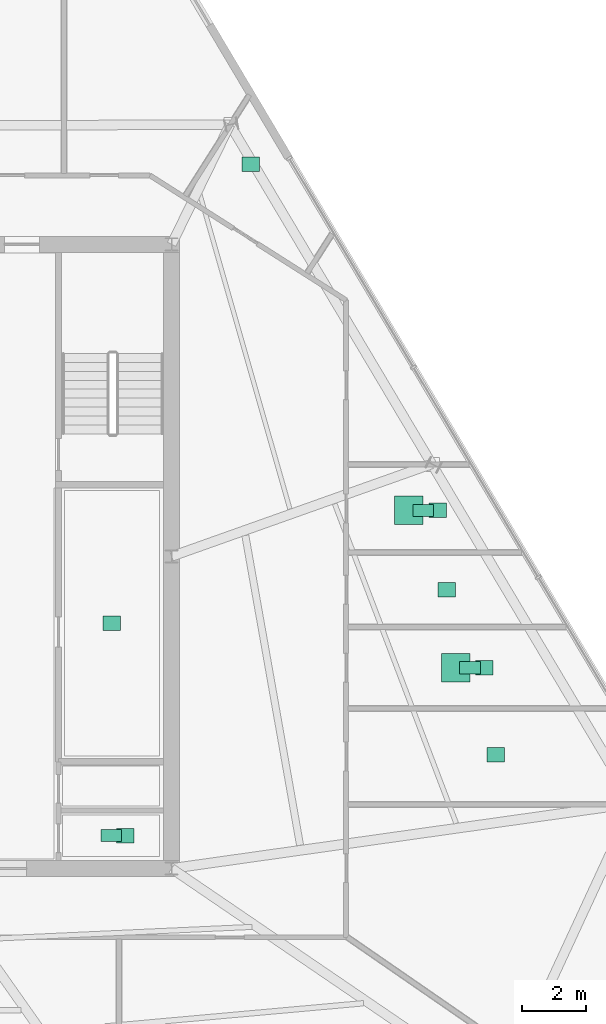
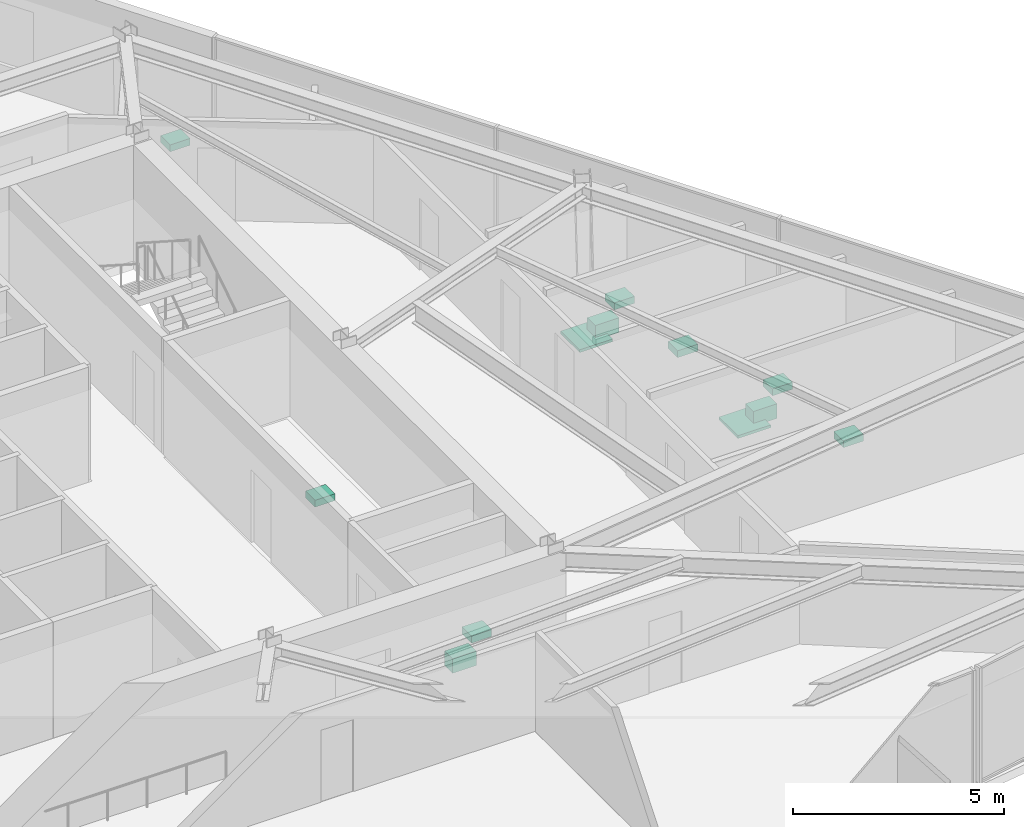
# One storey, part 15 of 15: 12 sanitary terminals.
"""IFC4 building model written with IfcOpenShell, lengths in metres."""

import ifcopenshell
import ifcopenshell.guid

model = None  # the IFC model being written
_history = None  # IfcOwnerHistory: only IFC2X3 demands one
_inside = {}  # id of a spatial element -> (the spatial element, [elements in it])
_under = {}  # id of a project, library or spatial element -> (it, [spatial elements below it])
_declared = {}  # id of a project -> (the project, [libraries it declares])
_typed = {}  # id of a type object -> (the type object, [elements of that type])
_made_of = {}  # id of a material, layer set ... -> (it, [elements and type objects made of it])


def new_model(schema):
    """Start an empty IFC model of exactly this schema.

    Asked for "IFC4X3", IfcOpenShell would pick the latest addendum, in which some entities
    have other attributes; the version numbers below select the first issue.
    IFC2X3 requires an IfcOwnerHistory on every rooted entity: one is made here for all.
    """
    global model, _history
    if schema == "IFC4X3":
        model = ifcopenshell.file(schema_version=(4, 3, 0, 0))
    else:
        model = ifcopenshell.file(schema=schema)
    _inside.clear()
    _under.clear()
    _declared.clear()
    _typed.clear()
    _made_of.clear()
    _history = None
    if model.schema == "IFC2X3":
        org = make("IfcOrganization", Name="unknown")
        user = make(
            "IfcPersonAndOrganization",
            ThePerson=make("IfcPerson", FamilyName="unknown"),
            TheOrganization=org,
        )
        app = make(
            "IfcApplication",
            ApplicationDeveloper=org,
            Version="unknown",
            ApplicationFullName="unknown",
            ApplicationIdentifier="unknown",
        )
        _history = make(
            "IfcOwnerHistory",
            OwningUser=user,
            OwningApplication=app,
            ChangeAction="ADDED",
            CreationDate=0,
        )
    return model


def make(cls, **values):
    """One entity of the class cls with the attributes given. An attribute that is None is left unset."""
    return model.create_entity(
        cls, **{name: value for name, value in values.items() if value is not None}
    )


def rooted(cls, **values):
    """An entity with a GlobalId (a new one), such as an element, a storey or a relation."""
    return make(cls, GlobalId=ifcopenshell.guid.new(), OwnerHistory=_history, **values)


def si_unit(unit_type, name, prefix=None):
    """IfcSIUnit, for example si_unit("LENGTHUNIT", "METRE", prefix="MILLI")."""
    return make("IfcSIUnit", UnitType=unit_type, Prefix=prefix, Name=name)


def assignment(units):
    """IfcUnitAssignment: the units of a project."""
    return None if units is None else make("IfcUnitAssignment", Units=units)


def point(xyz):
    """IfcCartesianPoint."""
    return None if xyz is None else make("IfcCartesianPoint", Coordinates=xyz)


def direction(xyz):
    """IfcDirection."""
    return None if xyz is None else make("IfcDirection", DirectionRatios=xyz)


def frame(location, z_axis=None, x_axis=None):
    """IfcAxis2Placement3D, a coordinate frame: its origin and axes. An axis left out is left unset."""
    return make(
        "IfcAxis2Placement3D",
        Location=point(location),
        Axis=direction(z_axis),
        RefDirection=direction(x_axis),
    )


def frame_2d(location, x_axis=None):
    """IfcAxis2Placement2D, a coordinate frame in the plane: its origin and x axis."""
    return make(
        "IfcAxis2Placement2D", Location=point(location), RefDirection=direction(x_axis)
    )


def origin():
    """The frame at (0, 0, 0) with its axes left unset."""
    return frame((0.0, 0.0, 0.0))


def origin_2d():
    """The frame at (0, 0) in the plane with its x axis left unset."""
    return frame_2d((0.0, 0.0))


def place(relative_to, where):
    """IfcLocalPlacement: puts the frame where relative to a parent placement (None: the world)."""
    return make(
        "IfcLocalPlacement", PlacementRelTo=relative_to, RelativePlacement=where
    )


def context(
    kind, dimensions, precision=None, world=None, true_north=None, identifier=None
):
    """IfcGeometricRepresentationContext, for example the 3D "Model" context."""
    return make(
        "IfcGeometricRepresentationContext",
        ContextIdentifier=identifier,
        ContextType=kind,
        CoordinateSpaceDimension=dimensions,
        Precision=precision,
        WorldCoordinateSystem=world,
        TrueNorth=true_north,
    )


def subcontext(parent, identifier, kind, view, scale=None):
    """IfcGeometricRepresentationSubContext, for example "Body" below "Model"."""
    return make(
        "IfcGeometricRepresentationSubContext",
        ContextIdentifier=identifier,
        ContextType=kind,
        ParentContext=parent,
        TargetScale=scale,
        TargetView=view,
    )


def project(units=None, contexts=None):
    """IfcProject with its units and contexts."""
    return rooted(
        "IfcProject",
        Name="project",
        RepresentationContexts=contexts,
        UnitsInContext=assignment(units),
    )


def spatial(cls, under=None, at=None, **own):
    """A site, building, storey or space (cls), placed at a placement, below another one or the project."""
    s = rooted(cls, ObjectPlacement=at, **own)
    if under is not None:
        _under.setdefault(under.id(), (under, []))[1].append(s)
    return s


def profile(cls, at=None, kind="AREA", **sizes):
    """A parametric profile (cls). Its sizes go by their IFC names, for example OverallWidth=200.0."""
    return make(cls, ProfileType=kind, Position=at, **sizes)


def rectangle(**sizes):
    """IfcRectangleProfileDef."""
    return profile("IfcRectangleProfileDef", **sizes)


def extrude(swept, where, along, depth):
    """IfcExtrudedAreaSolid: the profile swept, set in the frame where, extruded along a direction by depth."""
    return make(
        "IfcExtrudedAreaSolid",
        SweptArea=swept,
        Position=where,
        ExtrudedDirection=direction(along),
        Depth=depth,
    )


def shape(context_of_items, identifier, shape_type, items):
    """IfcShapeRepresentation: the items that make up one representation, for example the "Body"."""
    return make(
        "IfcShapeRepresentation",
        ContextOfItems=context_of_items,
        RepresentationIdentifier=identifier,
        RepresentationType=shape_type,
        Items=items,
    )


def material(Name=None, Category=None):
    """IfcMaterial."""
    return make("IfcMaterial", Name=Name, Category=Category)


def made_of(thing, what):
    """Note that an element or type object is made of a material, layer set ...; save() writes the relation."""
    if what is not None:
        _made_of.setdefault(what.id(), (what, []))[1].append(thing)
    return thing


def type_object(cls, material=None, **own):
    """A type object (cls), such as IfcWallType, which elements share."""
    return made_of(rooted(cls, **own), material)


def element(
    cls,
    number,
    at=None,
    inside=None,
    cuts=None,
    type_object=None,
    material=None,
    context=None,
    identifier="Body",
    shape_type=None,
    held_by="IfcProductDefinitionShape",
    body=None,
    shapes=None,
    **own,
):
    """One element of the class cls, such as IfcWall. Its Tag is "e" and its number.

    at: its placement. inside: the storey or other place that contains it. cuts: it is an
    opening in that element (IfcRelVoidsElement). A single representation is given by context,
    identifier, shape_type and body (its items); several are given by shapes. held_by: the class
    of the entity that holds the representations. save() writes the other relations.
    """
    e = rooted(cls, Tag="e%d" % number, ObjectPlacement=at, **own)
    if body is not None:
        shapes = [shape(context, identifier, shape_type, body)]
    if shapes is not None:
        e.Representation = make(held_by, Representations=shapes)
    if inside is not None:
        _inside.setdefault(inside.id(), (inside, []))[1].append(e)
    if cuts is not None:
        rooted(
            "IfcRelVoidsElement", RelatingBuildingElement=cuts, RelatedOpeningElement=e
        )
    if type_object is not None:
        _typed.setdefault(type_object.id(), (type_object, []))[1].append(e)
    return made_of(e, material)


def aggregate(whole, parts):
    """IfcRelAggregates: a whole, such as a stair, and the parts it consists of."""
    return rooted("IfcRelAggregates", RelatingObject=whole, RelatedObjects=parts)


def save(model, path):
    """Write the relations noted so far, then the file.

    IfcRelAggregates (storeys below a building ...), IfcRelContainedInSpatialStructure (elements
    in a storey), IfcRelDefinesByType, IfcRelAssociatesMaterial and IfcRelDeclares: one each for
    every whole, place, type object, material and project.
    """
    for whole, parts in _under.values():
        aggregate(whole, parts)
    for where, things in _inside.values():
        rooted(
            "IfcRelContainedInSpatialStructure",
            RelatedElements=things,
            RelatingStructure=where,
        )
    for kind, things in _typed.values():
        rooted("IfcRelDefinesByType", RelatedObjects=things, RelatingType=kind)
    for what, things in _made_of.values():
        rooted("IfcRelAssociatesMaterial", RelatedObjects=things, RelatingMaterial=what)
    for by, libraries in _declared.values():
        rooted("IfcRelDeclares", RelatingContext=by, RelatedDefinitions=libraries)
    model.write(path)


model = new_model("IFC4")

# Units and contexts
model_context = context("Model", 3, precision=1e-05, world=origin(), true_north=direction((0.0, 1.0)))
body_context = subcontext(model_context, "Body", "Model", "MODEL_VIEW")
ifc_project = project(units=[si_unit("LENGTHUNIT", "METRE"), si_unit("AREAUNIT", "SQUARE_METRE"), si_unit("VOLUMEUNIT", "CUBIC_METRE"), si_unit("PLANEANGLEUNIT", "RADIAN"), si_unit("MASSUNIT", "GRAM", prefix="KILO")], contexts=[model_context])

# Site, building, storey
site_placement = place(None, origin())
site = spatial("IfcSite", under=ifc_project, at=site_placement, CompositionType="ELEMENT")
building_placement = place(site_placement, origin())
building = spatial("IfcBuilding", under=site, at=building_placement, Name="Savorim Split Tower", CompositionType="ELEMENT")
storey_placement = place(building_placement, frame((0.0, 0.0, 142.199951171875)))
storey = spatial("IfcBuildingStorey", under=building, at=storey_placement, Name="L37", CompositionType="ELEMENT", Elevation=142.199951171875)

# Sanitary terminals
ifc_material = material(Name="Vitreous China Sanitaryware")
sanitary_terminal_type_1 = type_object("IfcSanitaryTerminalType", Name="SAN-SHW-900", PredefinedType="SHOWER", material=ifc_material)
for number, where, z_axis, x_axis, name in (
    (1, (16.618896484375, -3.096435546875, 0.0), (0.0, 0.0, 1.0), (1.0, 0.0, 0.0), "L37 Shared Bathroom Shower"),
    (2, (15.149658203125, 1.845703125, 0.0), (0.0, 0.0, 1.0), (1.0, 0.0, 0.0), "L37 Shared Bathroom Shower"),
):
    element("IfcSanitaryTerminal", number, at=place(storey_placement, frame(where, z_axis=z_axis, x_axis=x_axis)), inside=storey, type_object=sanitary_terminal_type_1, Name=name, PredefinedType="SHOWER", context=body_context, shape_type="SweptSolid", body=[
        extrude(rectangle(XDim=0.89990234375, YDim=0.89990234375, at=origin_2d()), origin(), (0.0, 0.0, 1.0), 0.080078125),
    ])
sanitary_terminal_type_2 = type_object("IfcSanitaryTerminalType", Name="SAN-WC-PAN", PredefinedType="TOILETPAN", material=ifc_material)
for number, where, z_axis, x_axis, name in (
    (3, (5.800048828125, -8.3701171875, 0.0), (0.0, 0.0, 1.0), (1.0, 0.0, 0.0), "L37 Accessible WC WC Pan"),
    (4, (17.06884765625, -3.096435546875, 0.0), (0.0, 0.0, 1.0), (1.0, 0.0, 0.0), "L37 Shared Bathroom WC Pan"),
    (5, (15.599609375, 1.845703125, 0.0), (0.0, 0.0, 1.0), (1.0, 0.0, 0.0), "L37 Shared Bathroom WC Pan"),
):
    element("IfcSanitaryTerminal", number, at=place(storey_placement, frame(where, z_axis=z_axis, x_axis=x_axis)), inside=storey, type_object=sanitary_terminal_type_2, Name=name, PredefinedType="TOILETPAN", context=body_context, shape_type="SweptSolid", body=[
        extrude(rectangle(XDim=0.64990234375, YDim=0.3798828125, at=origin_2d()), origin(), (0.0, 0.0, 1.0), 0.419921875),
    ])
sanitary_terminal_type_3 = type_object("IfcSanitaryTerminalType", Name="SAN-WHB-550", PredefinedType="WASHHANDBASIN", material=ifc_material)
for number, where, z_axis, x_axis, name in (
    (6, (5.824951171875, -1.699951171875, 0.75), (0.0, 0.0, 1.0), (1.0, 0.0, 0.0), "L37 Community Laundry Room Utility Sink"),
    (7, (6.25, -8.3701171875, 0.72021484375), (0.0, 0.0, 1.0), (1.0, 0.0, 0.0), "L37 Accessible WC Washhand Basin"),
    (8, (17.879638671875, -5.823486328125, 0.75), (0.0, 0.0, 1.0), (1.0, 0.0, 0.0), "L37 Shared Kitchen Utility Sink"),
    (9, (17.518798828125, -3.096435546875, 0.72021484375), (0.0, 0.0, 1.0), (1.0, 0.0, 0.0), "L37 Shared Bathroom Washhand Basin"),
    (10, (16.3408203125, -0.647705078125, 0.75), (0.0, 0.0, 1.0), (1.0, 0.0, 0.0), "L37 Shared Kitchen Utility Sink"),
    (11, (16.049560546875, 1.845703125, 0.72021484375), (0.0, 0.0, 1.0), (1.0, 0.0, 0.0), "L37 Shared Bathroom Washhand Basin"),
    (12, (10.184814453125, 12.711669921875, 0.75), (0.0, 0.0, 1.0), (1.0, 0.0, 0.0), "L37 Shared Kitchen Utility Sink"),
):
    element("IfcSanitaryTerminal", number, at=place(storey_placement, frame(where, z_axis=z_axis, x_axis=x_axis)), inside=storey, type_object=sanitary_terminal_type_3, Name=name, PredefinedType="WASHHANDBASIN", context=body_context, shape_type="SweptSolid", body=[
        extrude(rectangle(XDim=0.550048828125, YDim=0.449951171875, at=origin_2d()), origin(), (0.0, 0.0, 1.0), 0.199951171875),
    ])

save(model, "model.ifc")
